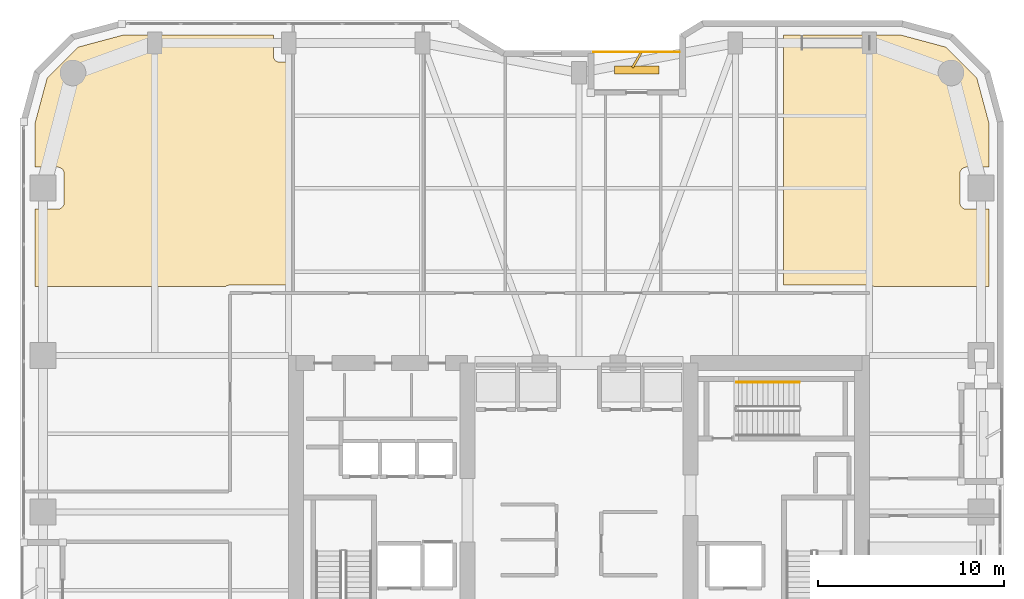
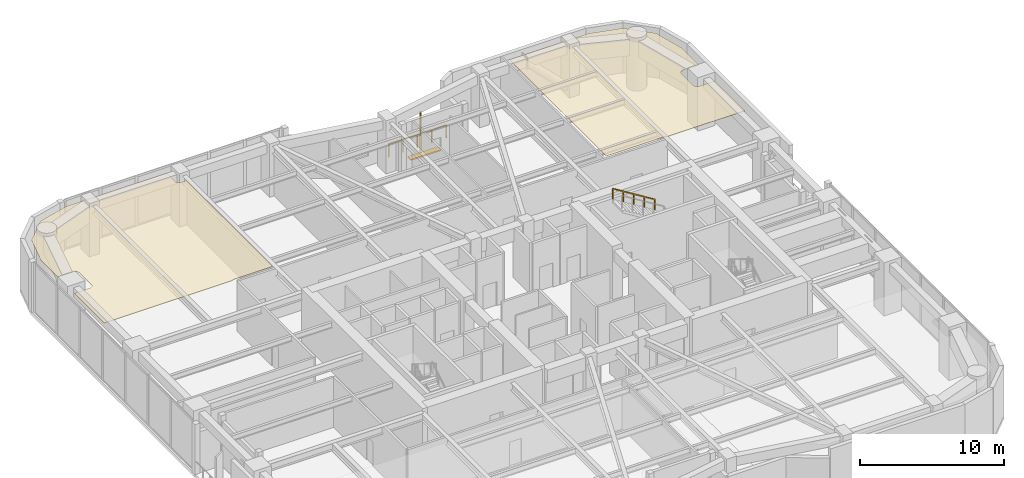
# One storey, part 22 of 23: 2 coverings, 2 railings, 2 shading devices.
"""IFC4 building model written with IfcOpenShell, lengths in metres."""

from ifc_helpers import new_model, si_unit, direction, frame, origin, origin_2d, place, context, subcontext, project, spatial, polyline, rectangle, outline, extrude, material, layer, layer_set, type_object, element, save


model = new_model("IFC4")

# Units and contexts
model_context = context("Model", 3, precision=1e-05, world=origin(), true_north=direction((0.0, 1.0)))
body_context = subcontext(model_context, "Body", "Model", "MODEL_VIEW")
ifc_project = project(units=[si_unit("LENGTHUNIT", "METRE"), si_unit("AREAUNIT", "SQUARE_METRE"), si_unit("VOLUMEUNIT", "CUBIC_METRE"), si_unit("PLANEANGLEUNIT", "RADIAN"), si_unit("MASSUNIT", "GRAM", prefix="KILO")], contexts=[model_context])

# Site, building, storey
site_placement = place(None, origin())
site = spatial("IfcSite", under=ifc_project, at=site_placement, CompositionType="ELEMENT")
building_placement = place(site_placement, origin())
building = spatial("IfcBuilding", under=site, at=building_placement, Name="Kiyonajd Concourse Tower", CompositionType="ELEMENT")
storey_placement = place(building_placement, frame((0.0, 0.0, 120.89990234375)))
storey = spatial("IfcBuildingStorey", under=building, at=storey_placement, Name="L31", CompositionType="ELEMENT", Elevation=120.89990234375)

# Coverings
ifc_material_1 = material(Name="Natural Oak Acoustic Timber Veneer", Category="wood")
ifc_layer = layer(ifc_material_1, 0.0400390625)
ifc_layer_set = layer_set([ifc_layer], Name="Natural Oak Acoustic Timber Veneer")
covering_type = type_object("IfcCoveringType", Name="CV-CLG-ACST", PredefinedType="CEILING", material=ifc_layer_set)
covering_1_placement = place(storey_placement, frame((0.0, 0.0, 4.06005859375)))
element("IfcCovering", 1, at=covering_1_placement, inside=storey, type_object=covering_type, Name="L31-46 Room Acoustic Ceiling", PredefinedType="CEILING", context=body_context, shape_type="SweptSolid", body=[
    extrude(outline(polyline([(21.097900390625, 60.986083984375), (23.5009765625, 61.6298828125), (31.570068359375, 61.6298828125), (31.570068359375, 60.52001953125), (31.5849609375, 60.41796875), (31.611083984375, 60.35498046875), (31.64892578125, 60.298095703125), (31.697998046875, 60.2490234375), (31.7548828125, 60.2109375), (31.818115234375, 60.18505859375), (31.919921875, 60.169921875), (32.300048828125, 60.169921875), (32.300048828125, 48.199951171875), (29.25, 48.199951171875), (29.1201171875, 48.179931640625), (29.056884765625, 48.154052734375), (29.001953125, 48.1201171875), (18.77001953125, 48.1201171875), (18.77001953125, 52.27001953125), (19.97998046875, 52.27001953125), (20.048095703125, 52.277099609375), (20.14501953125, 52.31103515625), (20.201904296875, 52.34912109375), (20.2509765625, 52.39794921875), (20.2890625, 52.455078125), (20.31494140625, 52.51806640625), (20.330078125, 52.6201171875), (20.330078125, 54.179931640625), (20.31494140625, 54.281982421875), (20.2890625, 54.344970703125), (20.2509765625, 54.402099609375), (20.201904296875, 54.450927734375), (20.14501953125, 54.489013671875), (20.08203125, 54.514892578125), (20.013916015625, 54.528076171875), (18.77001953125, 54.530029296875), (18.77001953125, 56.89892578125), (19.4140625, 59.302001953125), (21.097900390625, 60.986083984375)])), origin(), (0.0, 0.0, 1.0), 0.0400390625),
])
covering_2_placement = place(storey_placement, frame((0.0, 0.0, 4.06005859375)))
element("IfcCovering", 2, at=covering_2_placement, inside=storey, type_object=covering_type, Name="L31-52 Room Acoustic Ceiling", PredefinedType="CEILING", context=body_context, shape_type="SweptSolid", body=[
    extrude(outline(polyline([(63.847900390625, 48.1201171875), (63.79296875, 48.154052734375), (63.72998046875, 48.179931640625), (63.60009765625, 48.199951171875), (58.97998046875, 48.199951171875), (58.97998046875, 61.6298828125), (65.299072265625, 61.6298828125), (67.701904296875, 60.986083984375), (69.385986328125, 59.302001953125), (70.030029296875, 56.89892578125), (70.030029296875, 54.530029296875), (68.785888671875, 54.528076171875), (68.718017578125, 54.514892578125), (68.655029296875, 54.489013671875), (68.597900390625, 54.450927734375), (68.549072265625, 54.402099609375), (68.510986328125, 54.344970703125), (68.485107421875, 54.281982421875), (68.469970703125, 54.179931640625), (68.471923828125, 52.5859375), (68.4970703125, 52.486083984375), (68.549072265625, 52.39794921875), (68.597900390625, 52.34912109375), (68.655029296875, 52.31103515625), (68.751953125, 52.277099609375), (68.820068359375, 52.27001953125), (70.030029296875, 52.27001953125), (70.030029296875, 48.1201171875), (63.847900390625, 48.1201171875)])), origin(), (0.0, 0.0, 1.0), 0.0400390625),
])

# Railings
ifc_material_2 = material(Name="Thermally Broken Anodised Aluminium", Category="aluminium")
railing_type_1 = type_object("IfcRailingType", Name="RL-GRD-LOG", PredefinedType="GUARDRAIL", material=ifc_material_2)
railing_1_placement = place(storey_placement, frame((53.39990234375, 60.719970703125, 0.0)))
element("IfcRailing", 3, at=railing_1_placement, inside=storey, type_object=railing_type_1, Name="L31 Engawa Loggia Perimeter Guard LOG-N", PredefinedType="GUARDRAIL", context=body_context, shape_type="SweptSolid", body=[
    extrude(rectangle(XDim=0.048095703125, YDim=0.048095703125, at=origin_2d()), frame((0.0, 0.0, 1.076171875), z_axis=(-1.0, 0.0, 0.0), x_axis=(0.0, -1.0, 0.0)), (0.0, 0.0, 1.0), 4.599853515625),
    extrude(rectangle(XDim=0.0419921875, YDim=0.0419921875, at=origin_2d()), origin(), (0.0, 0.0, 1.0), 1.052001953125),
    extrude(rectangle(XDim=0.0419921875, YDim=0.0419921875, at=origin_2d()), frame((-1.14990234375, 0.0, 0.0)), (0.0, 0.0, 1.0), 1.052001953125),
    extrude(rectangle(XDim=0.0419921875, YDim=0.0419921875, at=origin_2d()), frame((-2.2998046875, 0.0, 0.0)), (0.0, 0.0, 1.0), 1.052001953125),
    extrude(rectangle(XDim=0.0419921875, YDim=0.0419921875, at=origin_2d()), frame((-3.449951171875, 0.0, 0.0)), (0.0, 0.0, 1.0), 1.052001953125),
    extrude(rectangle(XDim=0.0419921875, YDim=0.0419921875, at=origin_2d()), frame((-4.599853515625, 0.0, 0.0)), (0.0, 0.0, 1.0), 1.052001953125),
])
ifc_material_3 = material(Name="Brushed Stainless Steel Cab Assembly", Category="steel")
railing_type_2 = type_object("IfcRailingType", Name="RL-HND-900", PredefinedType="HANDRAIL", material=ifc_material_3)
railing_2_placement = place(storey_placement, frame((59.840087890625, 42.969970703125, 2.423095703125)))
element("IfcRailing", 4, at=railing_2_placement, inside=storey, type_object=railing_type_2, Name="L31 ST3 stair handrail 2", PredefinedType="HANDRAIL", context=body_context, shape_type="SweptSolid", body=[
    extrude(rectangle(XDim=0.048095703125, YDim=0.048095703125, at=origin_2d()), frame((0.0, 0.0, 0.8759765625), z_axis=(-0.850623216509, 0.0, 0.525775754039), x_axis=(0.0, -1.0, 0.0)), (0.0, 0.0, 1.0), 3.9501953125),
    extrude(rectangle(XDim=0.0419921875, YDim=0.0419921875, at=origin_2d()), origin(), (0.0, 0.0, 1.0), 0.851806640625),
    extrude(rectangle(XDim=0.0419921875, YDim=0.0419921875, at=origin_2d()), frame((-0.840087890625, 0.0, 0.519287109375)), (0.0, 0.0, 1.0), 0.851806640625),
    extrude(rectangle(XDim=0.0419921875, YDim=0.0419921875, at=origin_2d()), frame((-1.68017578125, 0.0, 1.03857421875)), (0.0, 0.0, 1.0), 0.851806640625),
    extrude(rectangle(XDim=0.0419921875, YDim=0.0419921875, at=origin_2d()), frame((-2.52001953125, 0.0, 1.5576171875)), (0.0, 0.0, 1.0), 0.851806640625),
    extrude(rectangle(XDim=0.0419921875, YDim=0.0419921875, at=origin_2d()), frame((-3.360107421875, 0.0, 2.076904296875)), (0.0, 0.0, 1.0), 0.851806640625),
])

# Shading devices
ifc_material_4 = material(Name="Precast concrete C50/60", Category="concrete")
shading_device_type_1 = type_object("IfcShadingDeviceType", Name="SH-FIN-900", PredefinedType="USERDEFINED", material=ifc_material_4)
shading_device_1_placement = place(storey_placement, frame((51.10009765625, 60.27001953125, 0.0), z_axis=(0.0, 0.0, 1.0), x_axis=(0.5, 0.866025403784, 0.0)))
element("IfcShadingDevice", 5, at=shading_device_1_placement, inside=storey, type_object=shading_device_type_1, Name="L31 Angled Koshi Solar Fin LOG-N", ObjectType="FIN", PredefinedType="USERDEFINED", context=body_context, shape_type="SweptSolid", body=[
    extrude(rectangle(XDim=0.89990234375, YDim=0.1201171875, at=origin_2d()), origin(), (0.0, 0.0, 1.0), 3.0),
])
shading_device_type_2 = type_object("IfcShadingDeviceType", Name="SH-LVR-600", PredefinedType="JALOUSIE", material=ifc_material_2)
shading_device_2_placement = place(storey_placement, frame((51.10009765625, 59.75, 0.0), z_axis=(0.0, 0.0, 1.0), x_axis=(1.0, 0.0, 0.0)))
element("IfcShadingDevice", 6, at=shading_device_2_placement, inside=storey, type_object=shading_device_type_2, Name="L31 Loggia Threshold Louver LOG-N", PredefinedType="JALOUSIE", context=body_context, shape_type="SweptSolid", body=[
    extrude(rectangle(XDim=2.39990234375, YDim=0.449951171875, at=origin_2d()), origin(), (0.0, 0.0, 1.0), 0.10009765625),
])

save(model, "model.ifc")
